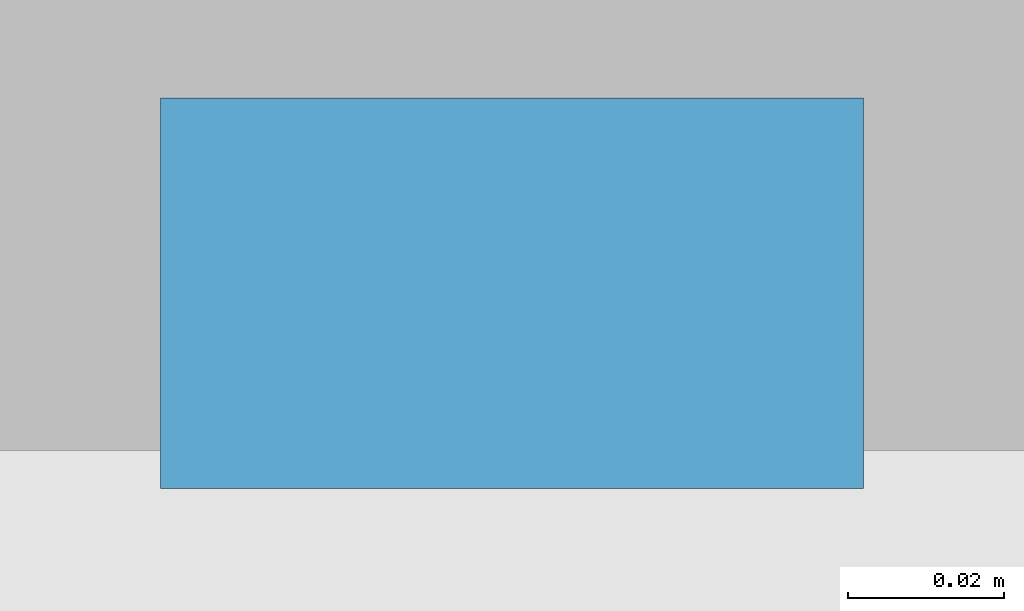
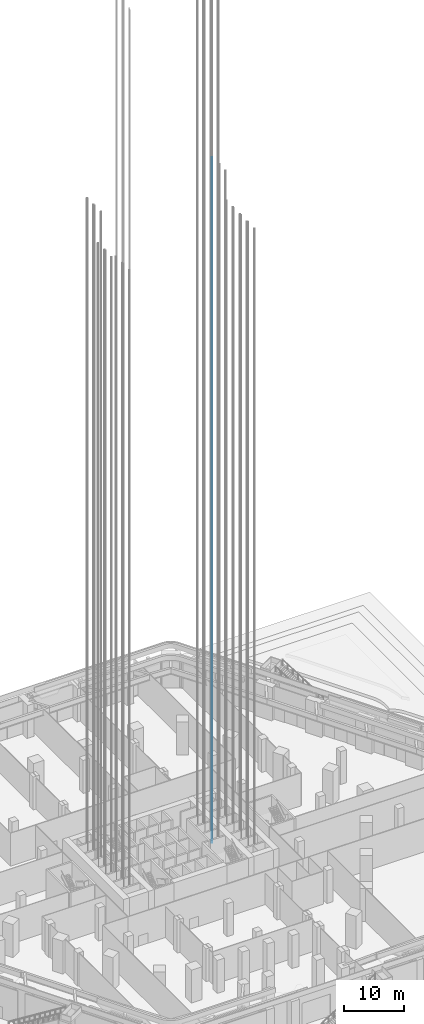
# One storey, part 60 of 68: 1 discrete accessory.
"""IFC4 building model written with IfcOpenShell, lengths in metres."""

from ifc_helpers import new_model, si_unit, direction, frame, origin, origin_2d, place, context, subcontext, project, spatial, rectangle, extrude, element, save


model = new_model("IFC4")

# Units and contexts
model_context = context("Model", 3, precision=1e-05, world=origin(), true_north=direction((0.0, 1.0)))
body_context = subcontext(model_context, "Body", "Model", "MODEL_VIEW")
ifc_project = project(units=[si_unit("LENGTHUNIT", "METRE"), si_unit("AREAUNIT", "SQUARE_METRE"), si_unit("VOLUMEUNIT", "CUBIC_METRE"), si_unit("PLANEANGLEUNIT", "RADIAN"), si_unit("MASSUNIT", "GRAM", prefix="KILO")], contexts=[model_context])

# Site, building, storey
site_placement = place(None, origin())
site = spatial("IfcSite", under=ifc_project, at=site_placement, CompositionType="ELEMENT")
building_placement = place(site_placement, origin())
building = spatial("IfcBuilding", under=site, at=building_placement, Name="Kolab Exchange Tower", CompositionType="ELEMENT")
storey_placement = place(building_placement, origin())
storey = spatial("IfcBuildingStorey", under=building, at=storey_placement, Name="L00", CompositionType="ELEMENT", Elevation=0.0)

# Discrete accessory
discrete_accessory_placement = place(storey_placement, frame((12.0, 7.070068359375, -1.599853515625), z_axis=(0.0, 0.0, 1.0), x_axis=(1.0, 0.0, 0.0)))
element("IfcDiscreteAccessory", 1, at=discrete_accessory_placement, inside=storey, Name="Guide rail SH2-2", ObjectType="GUIDE RAIL", PredefinedType="USERDEFINED", context=body_context, shape_type="SweptSolid", body=[
    extrude(rectangle(XDim=0.090087890625, YDim=0.050048828125, at=origin_2d()), origin(), (0.0, 0.0, 1.0), 139.39990234375),
])

save(model, "model.ifc")
